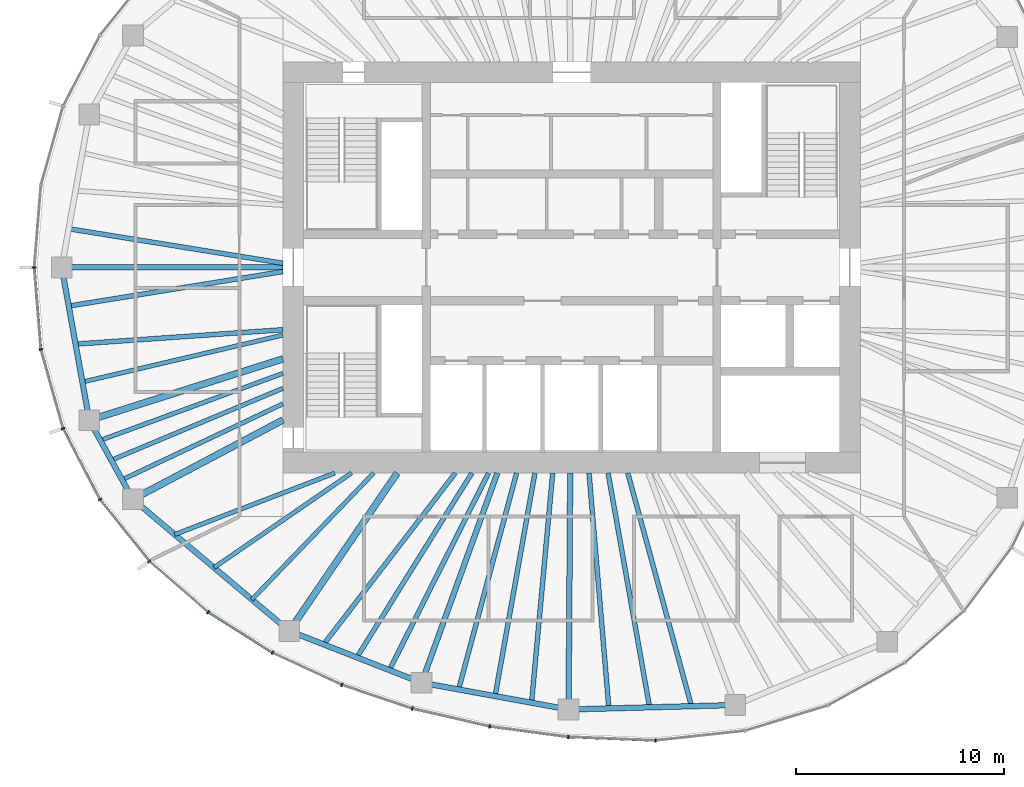
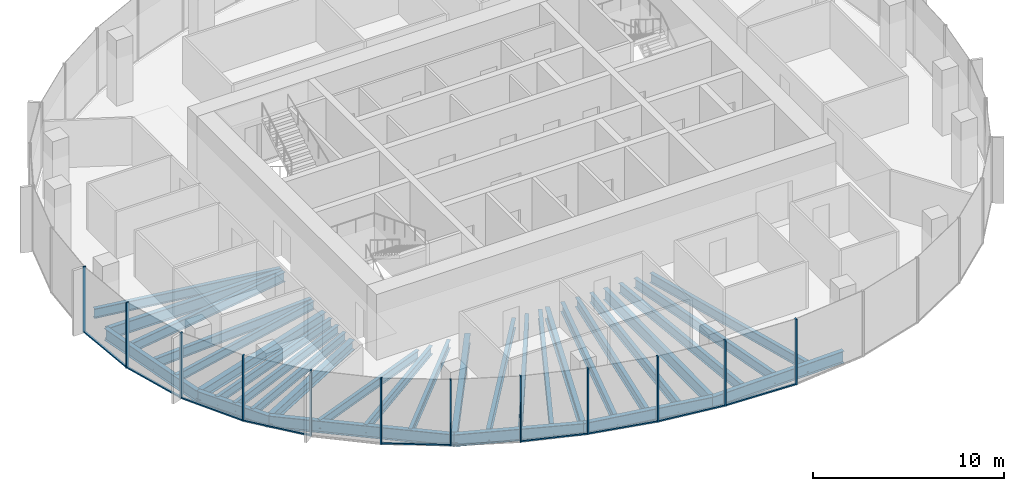
# One storey, part 2 of 11: 31 beams, 21 members, 6 elements without a shape of their own.
"""IFC4 building model written with IfcOpenShell, lengths in metres."""

from ifc_helpers import new_model, si_unit, direction, frame, origin, origin_2d, place, context, subcontext, project, spatial, rectangle, i_section, extrude, material, material_profile, profile_set, type_object, element, aggregate, save


model = new_model("IFC4")

# Units and contexts
model_context = context("Model", 3, precision=1e-05, world=origin(), true_north=direction((0.0, 1.0)))
body_context = subcontext(model_context, "Body", "Model", "MODEL_VIEW")
ifc_project = project(units=[si_unit("LENGTHUNIT", "METRE"), si_unit("AREAUNIT", "SQUARE_METRE"), si_unit("VOLUMEUNIT", "CUBIC_METRE"), si_unit("PLANEANGLEUNIT", "RADIAN"), si_unit("MASSUNIT", "GRAM", prefix="KILO")], contexts=[model_context])

# Site, building, storey
site_placement = place(None, origin())
site = spatial("IfcSite", under=ifc_project, at=site_placement, CompositionType="ELEMENT")
building_placement = place(site_placement, origin())
building = spatial("IfcBuilding", under=site, at=building_placement, Name="Ghaith Harvest Tower", CompositionType="ELEMENT")
storey_placement = place(building_placement, frame((0.0, 0.0, 325.800048828125)))
storey = spatial("IfcBuildingStorey", under=building, at=storey_placement, Name="L73", CompositionType="ELEMENT", Elevation=325.800048828125)

# Curtain wall, members
ifc_material_1 = material(Name="Black anodised aluminium and fritted glass", Category="aluminium")
curtain_wall_type = type_object("IfcCurtainWallType", Name="CW-T CURTAIN WALL", PredefinedType="NOTDEFINED", material=ifc_material_1)
curtain_wall_1_placement = place(storey_placement, origin())
curtain_wall_1 = element("IfcCurtainWall", 1, at=curtain_wall_1_placement, inside=storey, type_object=curtain_wall_type, Name="Curtain wall CW-T bay 11 L73", PredefinedType="NOTDEFINED")
ifc_material_2 = material(Name="Aluminium, black anodised", Category="aluminium")
ifc_material_profile_1 = material_profile(ifc_material_2, rectangle(XDim=0.080078125, YDim=0.179931640625, at=origin_2d()), Name="CW-T MULLION 80x180")
ifc_profile_set_1 = profile_set([ifc_material_profile_1], Name="Aluminium, black anodised")
member_type_1 = type_object("IfcMemberType", Name="CW-T MULLION 80x180", PredefinedType="MULLION", material=ifc_profile_set_1)
member_1_placement = place(storey_placement, frame((-25.8701171875, 0.0, 0.0), z_axis=(0.0, 0.0, 1.0), x_axis=(-1.05e-10, -1.0, 0.0)))
member_1 = element("IfcMember", 2, at=member_1_placement, type_object=member_type_1, Name="CW-T mullion 1 bay 11 L73", PredefinedType="MULLION", context=body_context, shape_type="SweptSolid", body=[
    extrude(rectangle(XDim=0.080078125, YDim=0.179931640625, at=origin_2d()), origin(), (0.0, 0.0, 1.0), 4.199951171875),
])
member_2_placement = place(storey_placement, frame((-25.5517578125, -3.9521484375, 0.0), z_axis=(0.0, 0.0, 1.0), x_axis=(0.176001391003, -0.98438991785, 0.0)))
member_2 = element("IfcMember", 3, at=member_2_placement, type_object=member_type_1, Name="CW-T mullion 2 bay 11 L73", PredefinedType="MULLION", context=body_context, shape_type="SweptSolid", body=[
    extrude(rectangle(XDim=0.080078125, YDim=0.179931640625, at=origin_2d()), origin(), (0.0, 0.0, 1.0), 4.199951171875),
])

curtain_wall_2_placement = place(storey_placement, origin())
curtain_wall_2 = element("IfcCurtainWall", 4, at=curtain_wall_2_placement, inside=storey, type_object=curtain_wall_type, Name="Curtain wall CW-T bay 12 L73", PredefinedType="NOTDEFINED")
member_3_placement = place(storey_placement, frame((-24.482666015625, -7.759033203125, 0.0), z_axis=(0.0, 0.0, 1.0), x_axis=(0.366473104734, -0.930428645038, 0.0)))
member_3 = element("IfcMember", 5, at=member_3_placement, type_object=member_type_1, Name="CW-T mullion 1 bay 12 L73", PredefinedType="MULLION", context=body_context, shape_type="SweptSolid", body=[
    extrude(rectangle(XDim=0.080078125, YDim=0.179931640625, at=origin_2d()), origin(), (0.0, 0.0, 1.0), 4.199951171875),
])
member_4_placement = place(storey_placement, frame((-22.706298828125, -11.176513671875, 0.0), z_axis=(0.0, 0.0, 1.0), x_axis=(0.545865412431, -0.837872873121, 0.0)))
member_4 = element("IfcMember", 6, at=member_4_placement, type_object=member_type_1, Name="CW-T mullion 2 bay 12 L73", PredefinedType="MULLION", context=body_context, shape_type="SweptSolid", body=[
    extrude(rectangle(XDim=0.080078125, YDim=0.179931640625, at=origin_2d()), origin(), (0.0, 0.0, 1.0), 4.199951171875),
])

curtain_wall_3_placement = place(storey_placement, origin())
curtain_wall_3 = element("IfcCurtainWall", 7, at=curtain_wall_3_placement, inside=storey, type_object=curtain_wall_type, Name="Curtain wall CW-T bay 13 L73", PredefinedType="NOTDEFINED")
member_5_placement = place(storey_placement, frame((-20.324462890625, -14.141845703125, 0.0), z_axis=(0.0, 0.0, 1.0), x_axis=(0.692826491831, -0.721104328248, 0.0)))
member_5 = element("IfcMember", 8, at=member_5_placement, type_object=member_type_1, Name="CW-T mullion 1 bay 13 L73", PredefinedType="MULLION", context=body_context, shape_type="SweptSolid", body=[
    extrude(rectangle(XDim=0.080078125, YDim=0.179931640625, at=origin_2d()), origin(), (0.0, 0.0, 1.0), 4.199951171875),
])
member_6_placement = place(storey_placement, frame((-17.49462890625, -16.600830078125, 0.0), z_axis=(0.0, 0.0, 1.0), x_axis=(0.802189888845, -0.59706899286, 0.0)))
member_6 = element("IfcMember", 9, at=member_6_placement, type_object=member_type_1, Name="CW-T mullion 2 bay 13 L73", PredefinedType="MULLION", context=body_context, shape_type="SweptSolid", body=[
    extrude(rectangle(XDim=0.080078125, YDim=0.179931640625, at=origin_2d()), origin(), (0.0, 0.0, 1.0), 4.199951171875),
])

curtain_wall_4_placement = place(storey_placement, origin())
curtain_wall_4 = element("IfcCurtainWall", 10, at=curtain_wall_4_placement, inside=storey, type_object=curtain_wall_type, Name="Curtain wall CW-T bay 14 L73", PredefinedType="NOTDEFINED")
member_7_placement = place(storey_placement, frame((-14.40478515625, -18.5478515625, 0.0), z_axis=(0.0, 0.0, 1.0), x_axis=(0.878671732732, -0.477426419564, 0.0)))
member_7 = element("IfcMember", 11, at=member_7_placement, type_object=member_type_1, Name="CW-T mullion 1 bay 14 L73", PredefinedType="MULLION", context=body_context, shape_type="SweptSolid", body=[
    extrude(rectangle(XDim=0.080078125, YDim=0.179931640625, at=origin_2d()), origin(), (0.0, 0.0, 1.0), 4.199951171875),
])
member_8_placement = place(storey_placement, frame((-11.0673828125, -20.093017578125, 0.0), z_axis=(0.0, 0.0, 1.0), x_axis=(0.92862442092, -0.371021138038, 0.0)))
member_8 = element("IfcMember", 12, at=member_8_placement, type_object=member_type_1, Name="CW-T mullion 2 bay 14 L73", PredefinedType="MULLION", context=body_context, shape_type="SweptSolid", body=[
    extrude(rectangle(XDim=0.080078125, YDim=0.179931640625, at=origin_2d()), origin(), (0.0, 0.0, 1.0), 4.199951171875),
])

curtain_wall_5_placement = place(storey_placement, origin())
curtain_wall_5 = element("IfcCurtainWall", 13, at=curtain_wall_5_placement, inside=storey, type_object=curtain_wall_type, Name="Curtain wall CW-T bay 15 L73", PredefinedType="NOTDEFINED")
member_9_placement = place(storey_placement, frame((-7.6708984375, -21.23828125, 0.0), z_axis=(0.0, 0.0, 1.0), x_axis=(0.962552491659, -0.271095372151, 0.0)))
member_9 = element("IfcMember", 14, at=member_9_placement, type_object=member_type_1, Name="CW-T mullion 1 bay 15 L73", PredefinedType="MULLION", context=body_context, shape_type="SweptSolid", body=[
    extrude(rectangle(XDim=0.080078125, YDim=0.179931640625, at=origin_2d()), origin(), (0.0, 0.0, 1.0), 4.199951171875),
])
member_10_placement = place(storey_placement, frame((-3.946533203125, -22.0986328125, 0.0), z_axis=(0.0, 0.0, 1.0), x_axis=(0.983843447712, -0.179030920217, 0.0)))
member_10 = element("IfcMember", 15, at=member_10_placement, type_object=member_type_1, Name="CW-T mullion 2 bay 15 L73", PredefinedType="MULLION", context=body_context, shape_type="SweptSolid", body=[
    extrude(rectangle(XDim=0.080078125, YDim=0.179931640625, at=origin_2d()), origin(), (0.0, 0.0, 1.0), 4.199951171875),
])

curtain_wall_6_placement = place(storey_placement, origin())
curtain_wall_6 = element("IfcCurtainWall", 16, at=curtain_wall_6_placement, inside=storey, type_object=curtain_wall_type, Name="Curtain wall CW-T bay 16 L73", PredefinedType="NOTDEFINED")
member_11_placement = place(storey_placement, frame((-0.15478515625, -22.60595703125, 0.0), z_axis=(0.0, 0.0, 1.0), x_axis=(0.996414855524, -0.084601629366, 0.0)))
member_11 = element("IfcMember", 17, at=member_11_placement, type_object=member_type_1, Name="CW-T mullion 1 bay 16 L73", PredefinedType="MULLION", context=body_context, shape_type="SweptSolid", body=[
    extrude(rectangle(XDim=0.080078125, YDim=0.179931640625, at=origin_2d()), origin(), (0.0, 0.0, 1.0), 4.199951171875),
])
member_12_placement = place(storey_placement, frame((4.037841796875, -22.776611328125, 0.0), z_axis=(0.0, 0.0, 1.0), x_axis=(0.999388631241, 0.034962318939, 0.0)))
member_12 = element("IfcMember", 18, at=member_12_placement, type_object=member_type_1, Name="CW-T mullion 2 bay 16 L73", PredefinedType="MULLION", context=body_context, shape_type="SweptSolid", body=[
    extrude(rectangle(XDim=0.080078125, YDim=0.179931640625, at=origin_2d()), origin(), (0.0, 0.0, 1.0), 4.199951171875),
])

# Member
ifc_material_3 = material(Name="Aluminium, black anodised", Category="aluminium")
ifc_material_profile_2 = material_profile(ifc_material_3, rectangle(XDim=0.1201171875, YDim=0.080078125, at=origin_2d()), Name="CW-T TRANSOM 120x80")
ifc_profile_set_2 = profile_set([ifc_material_profile_2], Name="Aluminium, black anodised")
member_type_2 = type_object("IfcMemberType", Name="CW-T TRANSOM 120x80", PredefinedType="USERDEFINED", material=ifc_profile_set_2)
member_13_placement = place(storey_placement, frame((-25.86669921875, -0.039794921875, 0.0400390625), z_axis=(0.08025226314, -0.996774585481, 0.0), x_axis=(0.996774585481, 0.08025226314, 0.0)))
member_13 = element("IfcMember", 19, at=member_13_placement, type_object=member_type_2, Name="CW-T transom 1 bay 11 L73", ObjectType="TRANSOM", PredefinedType="USERDEFINED", context=body_context, shape_type="SweptSolid", body=[
    extrude(rectangle(XDim=0.1201171875, YDim=0.080078125, at=origin_2d()), origin(), (0.0, 0.0, 1.0), 3.884765625),
])

member_14_placement = place(storey_placement, frame((-25.541015625, -3.990478515625, 0.0400390625), z_axis=(0.270340422972, -0.962764797709, 0.0), x_axis=(0.962764797709, 0.270340422972, 0.0)))
member_14 = element("IfcMember", 20, at=member_14_placement, type_object=member_type_2, Name="CW-T transom 2 bay 11 L73", ObjectType="TRANSOM", PredefinedType="USERDEFINED", context=body_context, shape_type="SweptSolid", body=[
    extrude(rectangle(XDim=0.1201171875, YDim=0.080078125, at=origin_2d()), origin(), (0.0, 0.0, 1.0), 3.874267578125),
])

aggregate(curtain_wall_1, [member_1, member_13, member_2, member_14])

member_15_placement = place(storey_placement, frame((-24.46435546875, -7.79443359375, 0.0400390625), z_axis=(0.461242681347, -0.887274021317, 0.0), x_axis=(0.887274021317, 0.461242681347, 0.0)))
member_15 = element("IfcMember", 21, at=member_15_placement, type_object=member_type_2, Name="CW-T transom 1 bay 12 L73", ObjectType="TRANSOM", PredefinedType="USERDEFINED", context=body_context, shape_type="SweptSolid", body=[
    extrude(rectangle(XDim=0.1201171875, YDim=0.080078125, at=origin_2d()), origin(), (0.0, 0.0, 1.0), 3.77197265625),
])

member_16_placement = place(storey_placement, frame((-22.68115234375, -11.207763671875, 0.0400390625), z_axis=(0.626253073761, -0.779619835307, 0.0), x_axis=(0.779619835307, 0.626253073761, 0.0)))
member_16 = element("IfcMember", 22, at=member_16_placement, type_object=member_type_2, Name="CW-T transom 2 bay 12 L73", ObjectType="TRANSOM", PredefinedType="USERDEFINED", context=body_context, shape_type="SweptSolid", body=[
    extrude(rectangle(XDim=0.1201171875, YDim=0.080078125, at=origin_2d()), origin(), (0.0, 0.0, 1.0), 3.723388671875),
])

aggregate(curtain_wall_2, [member_3, member_15, member_4, member_16])

member_17_placement = place(storey_placement, frame((-17.4609375, -16.6220703125, 0.0400390625), z_axis=(0.846053602505, -0.533097835006, 0.0), x_axis=(0.533097835006, 0.846053602505, 0.0)))
member_17 = element("IfcMember", 23, at=member_17_placement, type_object=member_type_2, Name="CW-T transom 2 bay 13 L73", ObjectType="TRANSOM", PredefinedType="USERDEFINED", context=body_context, shape_type="SweptSolid", body=[
    extrude(rectangle(XDim=0.1201171875, YDim=0.080078125, at=origin_2d()), origin(), (0.0, 0.0, 1.0), 3.572021484375),
])

aggregate(curtain_wall_3, [member_5, member_6, member_17])

member_18_placement = place(storey_placement, frame((-11.029541015625, -20.105712890625, 0.0400390625), z_axis=(0.9475698206, -0.319548799228, 0.0), x_axis=(0.319548799228, 0.9475698206, 0.0)))
member_18 = element("IfcMember", 24, at=member_18_placement, type_object=member_type_2, Name="CW-T transom 2 bay 14 L73", ObjectType="TRANSOM", PredefinedType="USERDEFINED", context=body_context, shape_type="SweptSolid", body=[
    extrude(rectangle(XDim=0.1201171875, YDim=0.080078125, at=origin_2d()), origin(), (0.0, 0.0, 1.0), 3.504638671875),
])

aggregate(curtain_wall_4, [member_7, member_8, member_18])

member_19_placement = place(storey_placement, frame((-7.6318359375, -21.247314453125, 0.0400390625), z_axis=(0.974344997799, -0.225059603803, 0.0), x_axis=(0.225059603803, 0.974344997799, 0.0)))
member_19 = element("IfcMember", 25, at=member_19_placement, type_object=member_type_2, Name="CW-T transom 1 bay 15 L73", ObjectType="TRANSOM", PredefinedType="USERDEFINED", context=body_context, shape_type="SweptSolid", body=[
    extrude(rectangle(XDim=0.1201171875, YDim=0.080078125, at=origin_2d()), origin(), (0.0, 0.0, 1.0), 3.742431640625),
])

member_20_placement = place(storey_placement, frame((-3.90673828125, -22.10400390625, 0.0400390625), z_axis=(0.99117202259, -0.132582131655, 0.0), x_axis=(0.132582131655, 0.99117202259, 0.0)))
member_20 = element("IfcMember", 26, at=member_20_placement, type_object=member_type_2, Name="CW-T transom 2 bay 15 L73", ObjectType="TRANSOM", PredefinedType="USERDEFINED", context=body_context, shape_type="SweptSolid", body=[
    extrude(rectangle(XDim=0.1201171875, YDim=0.080078125, at=origin_2d()), origin(), (0.0, 0.0, 1.0), 3.745361328125),
])

aggregate(curtain_wall_5, [member_9, member_19, member_10, member_20])

member_21_placement = place(storey_placement, frame((-0.11474609375, -22.607666015625, 0.0400390625), z_axis=(0.999174207562, -0.040631304968, 0.0), x_axis=(0.040631304968, 0.999174207562, 0.0)))
member_21 = element("IfcMember", 27, at=member_21_placement, type_object=member_type_2, Name="CW-T transom 1 bay 16 L73", ObjectType="TRANSOM", PredefinedType="USERDEFINED", context=body_context, shape_type="SweptSolid", body=[
    extrude(rectangle(XDim=0.1201171875, YDim=0.080078125, at=origin_2d()), origin(), (0.0, 0.0, 1.0), 4.115966796875),
])

aggregate(curtain_wall_6, [member_11, member_21, member_12])

# Beams
ifc_material_4 = material(Name="Steel ASTM A992 Grade 50", Category="steel")
ifc_material_profile_3 = material_profile(ifc_material_4, i_section(OverallWidth=0.26611328125, OverallDepth=0.758056640625, WebThickness=0.013916015625, FlangeThickness=0.019287109375, at=origin_2d()), Name="W760X161")
ifc_profile_set_3 = profile_set([ifc_material_profile_3], Name="Steel ASTM A992 Grade 50")
beam_type_1 = type_object("IfcBeamType", Name="E760-161 W760X161", PredefinedType="SPANDREL", material=ifc_profile_set_3)
beam_1_placement = place(storey_placement, frame((-24.550048828125, 0.0, -0.549072265625), z_axis=(0.177296554745, -0.984157473007, 0.0), x_axis=(0.984157473007, 0.177296554745, 0.0)))
element("IfcBeam", 28, at=beam_1_placement, inside=storey, type_object=beam_type_1, Name="Edge beam E11 L73", PredefinedType="SPANDREL", context=body_context, shape_type="SweptSolid", body=[
    extrude(i_section(OverallWidth=0.26611328125, OverallDepth=0.758056640625, WebThickness=0.013916015625, FlangeThickness=0.019287109375, at=origin_2d()), origin(), (0.0, 0.0, 1.0), 7.478515625),
])
beam_2_placement = place(storey_placement, frame((-23.22412109375, -7.360107421875, -0.549072265625), z_axis=(0.482955575345, -0.875644855089, 0.0), x_axis=(0.875644855089, 0.482955575345, 0.0)))
element("IfcBeam", 29, at=beam_2_placement, inside=storey, type_object=beam_type_1, Name="Edge beam E12 L73", PredefinedType="SPANDREL", context=body_context, shape_type="SweptSolid", body=[
    extrude(i_section(OverallWidth=0.26611328125, OverallDepth=0.758056640625, WebThickness=0.013916015625, FlangeThickness=0.019287109375, at=origin_2d()), origin(), (0.0, 0.0, 1.0), 4.346435546875),
])
beam_3_placement = place(storey_placement, frame((-21.125, -11.166015625, -0.549072265625), z_axis=(0.765021818761, -0.64400436087, 0.0), x_axis=(0.64400436087, 0.765021818761, 0.0)))
element("IfcBeam", 30, at=beam_3_placement, inside=storey, type_object=beam_type_1, Name="Edge beam E13 L73", PredefinedType="SPANDREL", context=body_context, shape_type="SweptSolid", body=[
    extrude(i_section(OverallWidth=0.26611328125, OverallDepth=0.758056640625, WebThickness=0.013916015625, FlangeThickness=0.019287109375, at=origin_2d()), origin(), (0.0, 0.0, 1.0), 9.8427734375),
])
beam_4_placement = place(storey_placement, frame((-13.594970703125, -17.5048828125, -0.549072265625), z_axis=(0.931322768207, -0.364194867371, 0.0), x_axis=(0.364194867371, 0.931322768207, 0.0)))
element("IfcBeam", 31, at=beam_4_placement, inside=storey, type_object=beam_type_1, Name="Edge beam E14 L73", PredefinedType="SPANDREL", context=body_context, shape_type="SweptSolid", body=[
    extrude(i_section(OverallWidth=0.26611328125, OverallDepth=0.758056640625, WebThickness=0.013916015625, FlangeThickness=0.019287109375, at=origin_2d()), origin(), (0.0, 0.0, 1.0), 6.843017578125),
])
beam_5_placement = place(storey_placement, frame((-7.221923828125, -19.9970703125, -0.549072265625), z_axis=(0.983813921429, -0.179193102551, 0.0), x_axis=(0.179193102551, 0.983813921429, 0.0)))
element("IfcBeam", 32, at=beam_5_placement, inside=storey, type_object=beam_type_1, Name="Edge beam E15 L73", PredefinedType="SPANDREL", context=body_context, shape_type="SweptSolid", body=[
    extrude(i_section(OverallWidth=0.26611328125, OverallDepth=0.758056640625, WebThickness=0.013916015625, FlangeThickness=0.019287109375, at=origin_2d()), origin(), (0.0, 0.0, 1.0), 7.1923828125),
])
beam_6_placement = place(storey_placement, frame((-0.14599609375, -21.285888671875, -0.549072265625), z_axis=(0.999644979696, 0.02664422206, 0.0), x_axis=(-0.02664422206, 0.999644979696, 0.0)))
element("IfcBeam", 33, at=beam_6_placement, inside=storey, type_object=beam_type_1, Name="Edge beam E16 L73", PredefinedType="SPANDREL", context=body_context, shape_type="SweptSolid", body=[
    extrude(i_section(OverallWidth=0.26611328125, OverallDepth=0.758056640625, WebThickness=0.013916015625, FlangeThickness=0.019287109375, at=origin_2d()), origin(), (0.0, 0.0, 1.0), 8.02685546875),
])
ifc_material_5 = material(Name="Steel ASTM A992 Grade 50", Category="steel")
ifc_material_profile_4 = material_profile(ifc_material_5, i_section(OverallWidth=0.323974609375, OverallDepth=0.611083984375, WebThickness=0.0126953125, FlangeThickness=0.01904296875, at=origin_2d()), Name="W610X155")
ifc_profile_set_4 = profile_set([ifc_material_profile_4], Name="Steel ASTM A992 Grade 50")
beam_type_2 = type_object("IfcBeamType", Name="G610-155 W610X155", PredefinedType="BEAM", material=ifc_profile_set_4)
beam_7_placement = place(storey_placement, frame((-13.89990234375, -4.4052734375, -0.4755859375), z_axis=(-0.953278508772, -0.302092841215, 0.0), x_axis=(0.302092841215, -0.953278508772, 0.0)))
element("IfcBeam", 34, at=beam_7_placement, inside=storey, type_object=beam_type_2, Name="Radial girder G12 L73", PredefinedType="BEAM", context=body_context, shape_type="SweptSolid", body=[
    extrude(i_section(OverallWidth=0.323974609375, OverallDepth=0.611083984375, WebThickness=0.0126953125, FlangeThickness=0.01904296875, at=origin_2d()), origin(), (0.0, 0.0, 1.0), 9.78125),
])
beam_8_placement = place(storey_placement, frame((-13.89990234375, -7.34716796875, -0.4755859375), z_axis=(-0.88410164037, -0.467294649546, 0.0), x_axis=(0.467294649546, -0.88410164037, 0.0)))
element("IfcBeam", 35, at=beam_8_placement, inside=storey, type_object=beam_type_2, Name="Radial girder G13 L73", PredefinedType="BEAM", context=body_context, shape_type="SweptSolid", body=[
    extrude(i_section(OverallWidth=0.323974609375, OverallDepth=0.611083984375, WebThickness=0.0126953125, FlangeThickness=0.01904296875, at=origin_2d()), origin(), (0.0, 0.0, 1.0), 8.17236328125),
])
beam_9_placement = place(storey_placement, frame((-8.39990234375, -9.89990234375, -0.4755859375), z_axis=(-0.564067018201, -0.825729010619, 0.0), x_axis=(0.825729010619, -0.564067018201, 0.0)))
element("IfcBeam", 36, at=beam_9_placement, inside=storey, type_object=beam_type_2, Name="Radial girder G14 L73", PredefinedType="BEAM", context=body_context, shape_type="SweptSolid", body=[
    extrude(i_section(OverallWidth=0.323974609375, OverallDepth=0.611083984375, WebThickness=0.0126953125, FlangeThickness=0.01904296875, at=origin_2d()), origin(), (0.0, 0.0, 1.0), 9.2099609375),
])
ifc_material_6 = material(Name="Steel ASTM A992 Grade 50", Category="steel")
ifc_material_profile_5 = material_profile(ifc_material_6, i_section(OverallWidth=0.26611328125, OverallDepth=0.758056640625, WebThickness=0.013916015625, FlangeThickness=0.019287109375, at=origin_2d()), Name="W760X161")
ifc_profile_set_5 = profile_set([ifc_material_profile_5], Name="Steel ASTM A992 Grade 50")
beam_type_3 = type_object("IfcBeamType", Name="G760-161 W760X161", PredefinedType="BEAM", material=ifc_profile_set_5)
beam_10_placement = place(storey_placement, frame((-13.89990234375, 0.0, -0.549072265625), z_axis=(-1.0, 0.0, 0.0), x_axis=(0.0, -1.0, 0.0)))
element("IfcBeam", 37, at=beam_10_placement, inside=storey, type_object=beam_type_3, Name="Radial girder G11 L73", PredefinedType="BEAM", context=body_context, shape_type="SweptSolid", body=[
    extrude(i_section(OverallWidth=0.26611328125, OverallDepth=0.758056640625, WebThickness=0.013916015625, FlangeThickness=0.019287109375, at=origin_2d()), origin(), (0.0, 0.0, 1.0), 10.650146484375),
])
beam_11_placement = place(storey_placement, frame((-3.57568359375, -9.89990234375, -0.549072265625), z_axis=(-0.339647816823, -0.940552688863, 0.0), x_axis=(0.940552688863, -0.339647816823, 0.0)))
element("IfcBeam", 38, at=beam_11_placement, inside=storey, type_object=beam_type_3, Name="Radial girder G15 L73", PredefinedType="BEAM", context=body_context, shape_type="SweptSolid", body=[
    extrude(i_section(OverallWidth=0.26611328125, OverallDepth=0.758056640625, WebThickness=0.013916015625, FlangeThickness=0.019287109375, at=origin_2d()), origin(), (0.0, 0.0, 1.0), 10.7353515625),
])
beam_12_placement = place(storey_placement, frame((-0.06787109375, -9.89990234375, -0.549072265625), z_axis=(-0.006861343299, -0.999976460707, 0.0), x_axis=(0.999976460707, -0.006861343299, 0.0)))
element("IfcBeam", 39, at=beam_12_placement, inside=storey, type_object=beam_type_3, Name="Radial girder G16 L73", PredefinedType="BEAM", context=body_context, shape_type="SweptSolid", body=[
    extrude(i_section(OverallWidth=0.26611328125, OverallDepth=0.758056640625, WebThickness=0.013916015625, FlangeThickness=0.019287109375, at=origin_2d()), origin(), (0.0, 0.0, 1.0), 11.38623046875),
])
ifc_material_7 = material(Name="Steel ASTM A992 Grade 50", Category="steel")
ifc_material_profile_6 = material_profile(ifc_material_7, i_section(OverallWidth=0.2109375, OverallDepth=0.5390625, WebThickness=0.01171875, FlangeThickness=0.018798828125, at=origin_2d()), Name="W530X109")
ifc_profile_set_6 = profile_set([ifc_material_profile_6], Name="Steel ASTM A992 Grade 50")
beam_type_4 = type_object("IfcBeamType", Name="J530-109 W530X109", PredefinedType="JOIST", material=ifc_profile_set_6)
beam_13_placement = place(storey_placement, frame((-13.89990234375, -3.257080078125, -0.439453125), z_axis=(-0.973623403271, -0.228161058472, 0.0), x_axis=(0.228161058472, -0.973623403271, 0.0)))
element("IfcBeam", 40, at=beam_13_placement, inside=storey, type_object=beam_type_4, Name="Joist J11.3 L73", PredefinedType="JOIST", context=body_context, shape_type="SweptSolid", body=[
    extrude(i_section(OverallWidth=0.2109375, OverallDepth=0.5390625, WebThickness=0.01171875, FlangeThickness=0.018798828125, at=origin_2d()), origin(), (0.0, 0.0, 1.0), 9.9169921875),
])
beam_14_placement = place(storey_placement, frame((-13.89990234375, -5.101318359375, -0.439453125), z_axis=(-0.938776837502, -0.34452583266, 0.0), x_axis=(0.34452583266, -0.938776837502, 0.0)))
element("IfcBeam", 41, at=beam_14_placement, inside=storey, type_object=beam_type_4, Name="Joist J12.1 L73", PredefinedType="JOIST", context=body_context, shape_type="SweptSolid", body=[
    extrude(i_section(OverallWidth=0.2109375, OverallDepth=0.5390625, WebThickness=0.01171875, FlangeThickness=0.018798828125, at=origin_2d()), origin(), (0.0, 0.0, 1.0), 9.36376953125),
])
beam_15_placement = place(storey_placement, frame((-13.89990234375, -5.82080078125, -0.439453125), z_axis=(-0.922394258818, -0.38624970071, 0.0), x_axis=(0.38624970071, -0.922394258818, 0.0)))
element("IfcBeam", 42, at=beam_15_placement, inside=storey, type_object=beam_type_4, Name="Joist J12.2 L73", PredefinedType="JOIST", context=body_context, shape_type="SweptSolid", body=[
    extrude(i_section(OverallWidth=0.2109375, OverallDepth=0.5390625, WebThickness=0.01171875, FlangeThickness=0.018798828125, at=origin_2d()), origin(), (0.0, 0.0, 1.0), 8.959716796875),
])
beam_16_placement = place(storey_placement, frame((-13.89990234375, -6.56787109375, -0.439453125), z_axis=(-0.904165769726, -0.427181765594, 0.0), x_axis=(0.427181765594, -0.904165769726, 0.0)))
element("IfcBeam", 43, at=beam_16_placement, inside=storey, type_object=beam_type_4, Name="Joist J12.3 L73", PredefinedType="JOIST", context=body_context, shape_type="SweptSolid", body=[
    extrude(i_section(OverallWidth=0.2109375, OverallDepth=0.5390625, WebThickness=0.01171875, FlangeThickness=0.018798828125, at=origin_2d()), origin(), (0.0, 0.0, 1.0), 8.564208984375),
])
beam_17_placement = place(storey_placement, frame((-11.39990234375, -9.89990234375, -0.439453125), z_axis=(-0.933583045329, -0.358361127181, 0.0), x_axis=(0.358361127181, -0.933583045329, 0.0)))
element("IfcBeam", 44, at=beam_17_placement, inside=storey, type_object=beam_type_4, Name="Joist J13.1 L73", PredefinedType="JOIST", context=body_context, shape_type="SweptSolid", body=[
    extrude(i_section(OverallWidth=0.2109375, OverallDepth=0.5390625, WebThickness=0.01171875, FlangeThickness=0.018798828125, at=origin_2d()), origin(), (0.0, 0.0, 1.0), 8.260986328125),
])
beam_18_placement = place(storey_placement, frame((-10.60009765625, -9.89990234375, -0.439453125), z_axis=(-0.823778502511, -0.566911791023, 0.0), x_axis=(0.566911791023, -0.823778502511, 0.0)))
element("IfcBeam", 45, at=beam_18_placement, inside=storey, type_object=beam_type_4, Name="Joist J13.2 L73", PredefinedType="JOIST", context=body_context, shape_type="SweptSolid", body=[
    extrude(i_section(OverallWidth=0.2109375, OverallDepth=0.5390625, WebThickness=0.01171875, FlangeThickness=0.018798828125, at=origin_2d()), origin(), (0.0, 0.0, 1.0), 8.0341796875),
])
beam_19_placement = place(storey_placement, frame((-9.530517578125, -9.89990234375, -0.439453125), z_axis=(-0.693536238632, -0.720421741554, 0.0), x_axis=(0.720421741554, -0.693536238632, 0.0)))
element("IfcBeam", 46, at=beam_19_placement, inside=storey, type_object=beam_type_4, Name="Joist J13.3 L73", PredefinedType="JOIST", context=body_context, shape_type="SweptSolid", body=[
    extrude(i_section(OverallWidth=0.2109375, OverallDepth=0.5390625, WebThickness=0.01171875, FlangeThickness=0.018798828125, at=origin_2d()), origin(), (0.0, 0.0, 1.0), 8.4541015625),
])
ifc_material_8 = material(Name="Steel ASTM A992 Grade 50", Category="steel")
ifc_material_profile_7 = material_profile(ifc_material_8, i_section(OverallWidth=0.22998046875, OverallDepth=0.616943359375, WebThickness=0.01318359375, FlangeThickness=0.022216796875, at=origin_2d()), Name="W610X140")
ifc_profile_set_7 = profile_set([ifc_material_profile_7], Name="Steel ASTM A992 Grade 50")
beam_type_5 = type_object("IfcBeamType", Name="J610-140 W610X140", PredefinedType="JOIST", material=ifc_profile_set_7)
for number, where, z_axis, x_axis, name in (
    (47, (-13.89990234375, 0.199951171875, -0.478515625), (-0.987271793524, 0.159042150743, 0.0), (-0.159042150743, -0.987271793524, 0.0), "Joist J10.3 L73"),
    (48, (-13.89990234375, -0.199951171875, -0.478515625), (-0.987271793524, -0.159042150743, 0.0), (0.159042150743, -0.987271793524, 0.0), "Joist J11.1 L73"),
):
    element("IfcBeam", number, at=place(storey_placement, frame(where, z_axis=z_axis, x_axis=x_axis)), inside=storey, type_object=beam_type_5, Name=name, PredefinedType="JOIST", context=body_context, shape_type="SweptSolid", body=[
        extrude(i_section(OverallWidth=0.22998046875, OverallDepth=0.616943359375, WebThickness=0.01318359375, FlangeThickness=0.022216796875, at=origin_2d()), origin(), (0.0, 0.0, 1.0), 10.44775390625),
    ])
beam_20_placement = place(storey_placement, frame((-13.89990234375, -3.0, -0.478515625), z_axis=(-0.997592478057, -0.069348739886, 0.0), x_axis=(0.069348739886, -0.997592478057, 0.0)))
element("IfcBeam", 49, at=beam_20_placement, inside=storey, type_object=beam_type_5, Name="Joist J11.2 L73", PredefinedType="JOIST", context=body_context, shape_type="SweptSolid", body=[
    extrude(i_section(OverallWidth=0.22998046875, OverallDepth=0.616943359375, WebThickness=0.01318359375, FlangeThickness=0.022216796875, at=origin_2d()), origin(), (0.0, 0.0, 1.0), 10.0087890625),
])
beam_21_placement = place(storey_placement, frame((-5.60009765625, -9.89990234375, -0.478515625), z_axis=(-0.609353577926, -0.792898617144, 0.0), x_axis=(0.792898617144, -0.609353577926, 0.0)))
element("IfcBeam", 50, at=beam_21_placement, inside=storey, type_object=beam_type_5, Name="Joist J14.1 L73", PredefinedType="JOIST", context=body_context, shape_type="SweptSolid", body=[
    extrude(i_section(OverallWidth=0.22998046875, OverallDepth=0.616943359375, WebThickness=0.01318359375, FlangeThickness=0.022216796875, at=origin_2d()), origin(), (0.0, 0.0, 1.0), 10.406982421875),
])
beam_22_placement = place(storey_placement, frame((-4.800048828125, -9.89990234375, -0.478515625), z_axis=(-0.529596254905, -0.848249849273, 0.0), x_axis=(0.848249849273, -0.529596254905, 0.0)))
element("IfcBeam", 51, at=beam_22_placement, inside=storey, type_object=beam_type_5, Name="Joist J14.2 L73", PredefinedType="JOIST", context=body_context, shape_type="SweptSolid", body=[
    extrude(i_section(OverallWidth=0.22998046875, OverallDepth=0.616943359375, WebThickness=0.01318359375, FlangeThickness=0.022216796875, at=origin_2d()), origin(), (0.0, 0.0, 1.0), 10.465087890625),
])
beam_23_placement = place(storey_placement, frame((-4.0, -9.89990234375, -0.478515625), z_axis=(-0.449556131123, -0.893252083664, 0.0), x_axis=(0.893252083664, -0.449556131123, 0.0)))
element("IfcBeam", 52, at=beam_23_placement, inside=storey, type_object=beam_type_5, Name="Joist J14.3 L73", PredefinedType="JOIST", context=body_context, shape_type="SweptSolid", body=[
    extrude(i_section(OverallWidth=0.22998046875, OverallDepth=0.616943359375, WebThickness=0.01318359375, FlangeThickness=0.022216796875, at=origin_2d()), origin(), (0.0, 0.0, 1.0), 10.62353515625),
])
beam_24_placement = place(storey_placement, frame((-2.651123046875, -9.89990234375, -0.478515625), z_axis=(-0.258678019609, -0.965963602923, 0.0), x_axis=(0.965963602923, -0.258678019609, 0.0)))
element("IfcBeam", 53, at=beam_24_placement, inside=storey, type_object=beam_type_5, Name="Joist J15.1 L73", PredefinedType="JOIST", context=body_context, shape_type="SweptSolid", body=[
    extrude(i_section(OverallWidth=0.22998046875, OverallDepth=0.616943359375, WebThickness=0.01318359375, FlangeThickness=0.022216796875, at=origin_2d()), origin(), (0.0, 0.0, 1.0), 10.78857421875),
])
beam_25_placement = place(storey_placement, frame((-1.76806640625, -9.89990234375, -0.478515625), z_axis=(-0.175803029262, -0.984425362789, 0.0), x_axis=(0.984425362789, -0.175803029262, 0.0)))
element("IfcBeam", 54, at=beam_25_placement, inside=storey, type_object=beam_type_5, Name="Joist J15.2 L73", PredefinedType="JOIST", context=body_context, shape_type="SweptSolid", body=[
    extrude(i_section(OverallWidth=0.22998046875, OverallDepth=0.616943359375, WebThickness=0.01318359375, FlangeThickness=0.022216796875, at=origin_2d()), origin(), (0.0, 0.0, 1.0), 10.9111328125),
])
beam_26_placement = place(storey_placement, frame((-0.9111328125, -9.89990234375, -0.478515625), z_axis=(-0.091651380942, -0.995791154998, 0.0), x_axis=(0.995791154998, -0.091651380942, 0.0)))
element("IfcBeam", 55, at=beam_26_placement, inside=storey, type_object=beam_type_5, Name="Joist J15.3 L73", PredefinedType="JOIST", context=body_context, shape_type="SweptSolid", body=[
    extrude(i_section(OverallWidth=0.22998046875, OverallDepth=0.616943359375, WebThickness=0.01318359375, FlangeThickness=0.022216796875, at=origin_2d()), origin(), (0.0, 0.0, 1.0), 11.10791015625),
])
beam_27_placement = place(storey_placement, frame((0.836669921875, -9.89990234375, -0.478515625), z_axis=(0.084201795166, -0.996448723061, 0.0), x_axis=(0.996448723061, 0.084201795166, 0.0)))
element("IfcBeam", 56, at=beam_27_placement, inside=storey, type_object=beam_type_5, Name="Joist J16.1 L73", PredefinedType="JOIST", context=body_context, shape_type="SweptSolid", body=[
    extrude(i_section(OverallWidth=0.22998046875, OverallDepth=0.616943359375, WebThickness=0.01318359375, FlangeThickness=0.022216796875, at=origin_2d()), origin(), (0.0, 0.0, 1.0), 11.37451171875),
])
beam_28_placement = place(storey_placement, frame((1.7548828125, -9.89990234375, -0.478515625), z_axis=(0.174572943493, -0.98464424408, 0.0), x_axis=(0.98464424408, 0.174572943493, 0.0)))
element("IfcBeam", 57, at=beam_28_placement, inside=storey, type_object=beam_type_5, Name="Joist J16.2 L73", PredefinedType="JOIST", context=body_context, shape_type="SweptSolid", body=[
    extrude(i_section(OverallWidth=0.22998046875, OverallDepth=0.616943359375, WebThickness=0.01318359375, FlangeThickness=0.022216796875, at=origin_2d()), origin(), (0.0, 0.0, 1.0), 11.4580078125),
])
beam_29_placement = place(storey_placement, frame((2.70361328125, -9.89990234375, -0.478515625), z_axis=(0.263468802698, -0.964667916956, 0.0), x_axis=(0.964667916956, 0.263468802698, 0.0)))
element("IfcBeam", 58, at=beam_29_placement, inside=storey, type_object=beam_type_5, Name="Joist J16.3 L73", PredefinedType="JOIST", context=body_context, shape_type="SweptSolid", body=[
    extrude(i_section(OverallWidth=0.22998046875, OverallDepth=0.616943359375, WebThickness=0.01318359375, FlangeThickness=0.022216796875, at=origin_2d()), origin(), (0.0, 0.0, 1.0), 11.639404296875),
])

save(model, "model.ifc")
